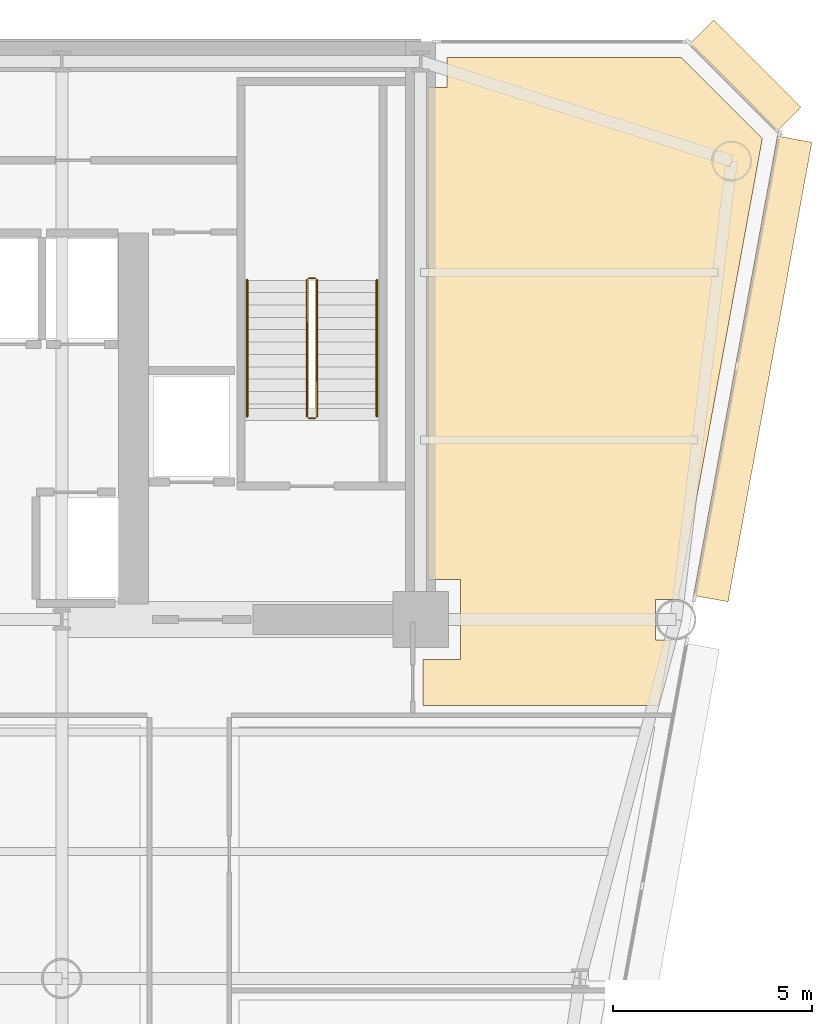
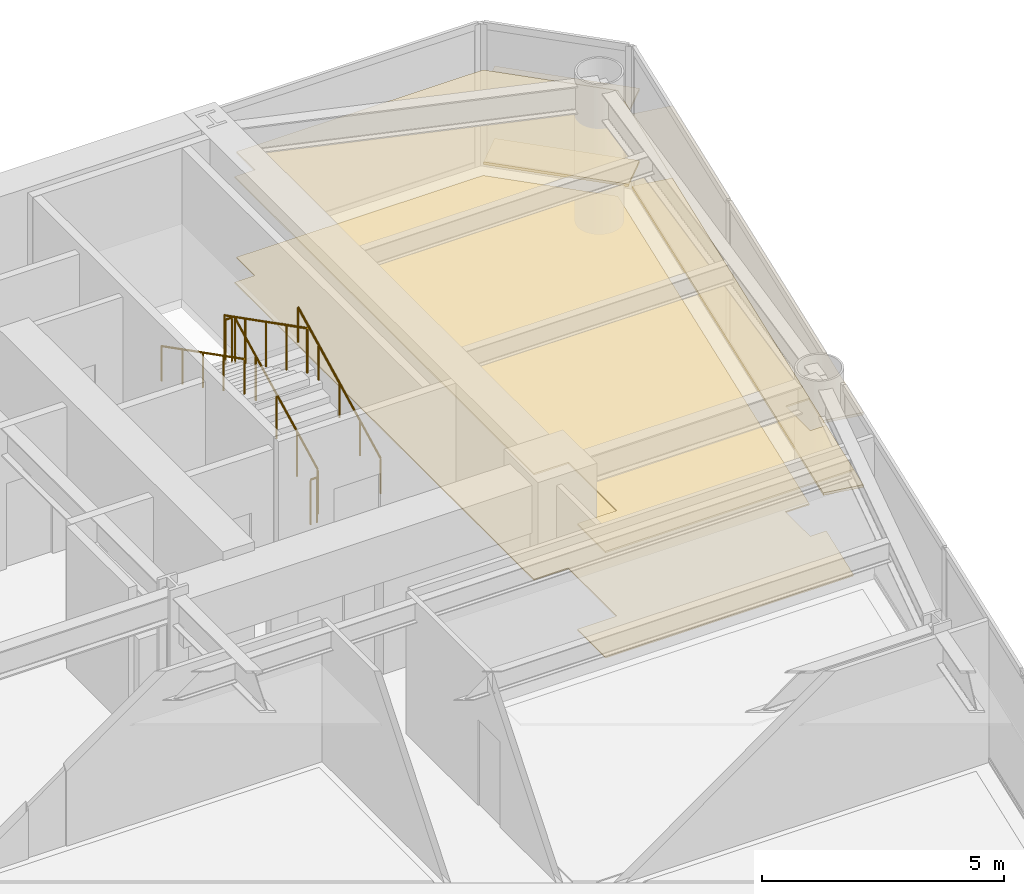
# One storey, part 14 of 14: 6 coverings, 6 railings.
"""IFC4 building model written with IfcOpenShell, lengths in metres."""

from ifc_helpers import new_model, si_unit, direction, frame, origin, origin_2d, place, context, subcontext, project, spatial, polyline, rectangle, circle, outline, extrude, source, transform, mapped, material, layer, layer_set, type_object, element, save


model = new_model("IFC4")

# Units and contexts
model_context = context("Model", 3, precision=1e-05, world=origin(), true_north=direction((0.0, 1.0)))
body_context = subcontext(model_context, "Body", "Model", "MODEL_VIEW")
ifc_project = project(units=[si_unit("LENGTHUNIT", "METRE"), si_unit("AREAUNIT", "SQUARE_METRE"), si_unit("VOLUMEUNIT", "CUBIC_METRE"), si_unit("PLANEANGLEUNIT", "RADIAN"), si_unit("MASSUNIT", "GRAM", prefix="KILO")], contexts=[model_context])

# Site, building, storey
site_placement = place(None, origin())
site = spatial("IfcSite", under=ifc_project, at=site_placement, CompositionType="ELEMENT")
building_placement = place(site_placement, origin())
building = spatial("IfcBuilding", under=site, at=building_placement, Name="Vaeldorn Concourse Tower", CompositionType="ELEMENT")
storey_placement = place(building_placement, frame((0.0, 0.0, 99.60009765625)))
storey = spatial("IfcBuildingStorey", under=building, at=storey_placement, Name="L25", CompositionType="ELEMENT", Elevation=99.60009765625)

# Coverings
ifc_material_1 = material(Name="Acoustic Mineral Fibre Board", Category="gypsum")
ifc_layer_1 = layer(ifc_material_1, 0.0400390625)
ifc_layer_set_1 = layer_set([ifc_layer_1], Name="Acoustic Mineral Fibre Board")
covering_type_1 = type_object("IfcCoveringType", Name="COV-CEIL-ACOUSTIC", PredefinedType="CEILING", material=ifc_layer_set_1)
covering_1_placement = place(storey_placement, frame((0.0, 0.0, 2.64990234375)))
element("IfcCovering", 1, at=covering_1_placement, inside=storey, type_object=covering_type_1, Name="Suspended Acoustic Ceiling L25-4", PredefinedType="CEILING", context=body_context, shape_type="SweptSolid", body=[
    extrude(outline(polyline([(54.179931640625, 49.840087890625), (54.659912109375, 49.840087890625), (54.659912109375, 50.60009765625), (60.5341796875, 50.60009765625), (62.56884765625, 48.5654296875), (60.460205078125, 37.008056640625), (59.89208984375, 37.008056640625), (59.89208984375, 35.991943359375), (60.27490234375, 35.991943359375), (59.9736328125, 34.340087890625), (54.06005859375, 34.340087890625), (54.06005859375, 35.5), (55.0, 35.5), (55.0, 37.5), (54.179931640625, 37.5), (54.179931640625, 49.840087890625)])), origin(), (0.0, 0.0, 1.0), 0.0400390625),
])
ifc_material_2 = material(Name="Honed Limestone Terrazzo Flooring", Category="masonry")
ifc_layer_2 = layer(ifc_material_2, 0.0400390625)
ifc_layer_set_2 = layer_set([ifc_layer_2], Name="Honed Limestone Terrazzo Flooring")
covering_type_2 = type_object("IfcCoveringType", Name="COV-FLOOR-STONE", PredefinedType="FLOORING", material=ifc_layer_set_2)
covering_2_placement = place(storey_placement, origin())
element("IfcCovering", 2, at=covering_2_placement, inside=storey, type_object=covering_type_2, Name="Floor Finish Covering L25-4", PredefinedType="FLOORING", context=body_context, shape_type="SweptSolid", body=[
    extrude(outline(polyline([(54.179931640625, 49.840087890625), (54.659912109375, 49.840087890625), (54.659912109375, 50.60009765625), (60.5341796875, 50.60009765625), (62.56884765625, 48.5654296875), (60.460205078125, 37.008056640625), (59.89208984375, 37.008056640625), (59.89208984375, 35.991943359375), (60.27490234375, 35.991943359375), (59.9736328125, 34.340087890625), (54.06005859375, 34.340087890625), (54.06005859375, 35.5), (55.0, 35.5), (55.0, 37.5), (54.179931640625, 37.5), (54.179931640625, 49.840087890625)])), origin(), (0.0, 0.0, 1.0), 0.02978515625),
])

# Railings
ifc_material_3 = material(Name="Anodised Bronze Aluminium", Category="aluminium")
railing_type_1 = type_object("IfcRailingType", Name="RL-STAIR-GUARD", PredefinedType="GUARDRAIL", material=ifc_material_3)
railing_1_placement = place(storey_placement, frame((51.39990234375, 41.60009765625, 0.158203125)))
element("IfcRailing", 3, at=railing_1_placement, inside=storey, type_object=railing_type_1, Name="L25 ST-2 stair guard 1", PredefinedType="GUARDRAIL", context=body_context, shape_type="SweptSolid", body=[
    extrude(circle(Radius=0.02392578125, at=origin_2d()), frame((0.0, 0.0, 1.1259765625), z_axis=(0.0, 0.890555807335, 0.454873997962), x_axis=(-1.0, 0.0, 0.0)), (0.0, 0.0, 1.0), 3.828857421875),
    extrude(circle(Radius=0.02099609375, at=origin_2d()), origin(), (0.0, 0.0, 1.0), 1.101806640625),
    extrude(circle(Radius=0.02099609375, at=origin_2d()), frame((0.0, 0.8525390625, 0.435546875)), (0.0, 0.0, 1.0), 1.101806640625),
    extrude(circle(Radius=0.02099609375, at=origin_2d()), frame((0.0, 1.705078125, 0.870849609375)), (0.0, 0.0, 1.0), 1.101806640625),
    extrude(circle(Radius=0.02099609375, at=origin_2d()), frame((0.0, 2.557373046875, 1.30615234375)), (0.0, 0.0, 1.0), 1.101806640625),
    extrude(circle(Radius=0.02099609375, at=origin_2d()), frame((0.0, 3.409912109375, 1.74169921875)), (0.0, 0.0, 1.0), 1.101806640625),
])
railing_2_placement = place(storey_placement, frame((51.35009765625, 45.06005859375, 1.89990234375)))
element("IfcRailing", 4, at=railing_2_placement, inside=storey, type_object=railing_type_1, Name="L25 ST-2 stair guard 2", PredefinedType="GUARDRAIL", context=body_context, shape_type="SweptSolid", body=[
    extrude(circle(Radius=0.02392578125, at=origin_2d()), frame((0.0, 0.0, 1.1259765625), z_axis=(-1.0, 0.0, 0.0), x_axis=(0.0, -1.0, 0.0)), (0.0, 0.0, 1.0), 0.150146484375),
    extrude(circle(Radius=0.02099609375, at=origin_2d()), origin(), (0.0, 0.0, 1.0), 1.101806640625),
    extrude(circle(Radius=0.02099609375, at=origin_2d()), frame((-0.150146484375, 0.0, 0.0)), (0.0, 0.0, 1.0), 1.101806640625),
])
railing_3_placement = place(storey_placement, frame((51.14990234375, 45.010009765625, 2.058349609375)))
element("IfcRailing", 5, at=railing_3_placement, inside=storey, type_object=railing_type_1, Name="L25 ST-2 stair guard 3", PredefinedType="GUARDRAIL", context=body_context, shape_type="SweptSolid", body=[
    extrude(circle(Radius=0.02392578125, at=origin_2d()), frame((0.0, 0.0, 1.1259765625), z_axis=(0.0, -0.890581635807, 0.454823427236), x_axis=(1.0, 0.0, 0.0)), (0.0, 0.0, 1.0), 3.828857421875),
    extrude(circle(Radius=0.02099609375, at=origin_2d()), origin(), (0.0, 0.0, 1.0), 1.101806640625),
    extrude(circle(Radius=0.02099609375, at=origin_2d()), frame((0.0, -0.8525390625, 0.435302734375)), (0.0, 0.0, 1.0), 1.101806640625),
    extrude(circle(Radius=0.02099609375, at=origin_2d()), frame((0.0, -1.705078125, 0.87060546875)), (0.0, 0.0, 1.0), 1.101806640625),
    extrude(circle(Radius=0.02099609375, at=origin_2d()), frame((0.0, -2.557373046875, 1.30615234375)), (0.0, 0.0, 1.0), 1.101806640625),
    extrude(circle(Radius=0.02099609375, at=origin_2d()), frame((0.0, -3.409912109375, 1.741455078125)), (0.0, 0.0, 1.0), 1.101806640625),
])
railing_4_placement = place(storey_placement, frame((51.35009765625, 41.550048828125, 0.0)))
element("IfcRailing", 6, at=railing_4_placement, inside=storey, type_object=railing_type_1, Name="L25 ST-2 stair guard 4", PredefinedType="GUARDRAIL", context=body_context, shape_type="SweptSolid", body=[
    extrude(circle(Radius=0.02392578125, at=origin_2d()), frame((0.0, 0.0, 1.1259765625), z_axis=(-1.0, 0.0, 0.0), x_axis=(0.0, -1.0, 0.0)), (0.0, 0.0, 1.0), 0.150146484375),
    extrude(circle(Radius=0.02099609375, at=origin_2d()), origin(), (0.0, 0.0, 1.0), 1.101806640625),
    extrude(circle(Radius=0.02099609375, at=origin_2d()), frame((-0.150146484375, 0.0, 0.0)), (0.0, 0.0, 1.0), 1.101806640625),
])
railing_type_2 = type_object("IfcRailingType", Name="RL-STAIR-HANDRAIL", PredefinedType="HANDRAIL", material=ifc_material_3)
railing_5_placement = place(storey_placement, frame((52.89990234375, 41.60009765625, 0.158203125)))
element("IfcRailing", 7, at=railing_5_placement, inside=storey, type_object=railing_type_2, Name="L25 ST-2 stair handrail 1", PredefinedType="HANDRAIL", context=body_context, shape_type="SweptSolid", body=[
    extrude(circle(Radius=0.02392578125, at=origin_2d()), frame((0.0, 0.0, 0.8759765625), z_axis=(0.0, 0.890555807335, 0.454873997962), x_axis=(-1.0, 0.0, 0.0)), (0.0, 0.0, 1.0), 3.828857421875),
    extrude(circle(Radius=0.02099609375, at=origin_2d()), origin(), (0.0, 0.0, 1.0), 0.851806640625),
    extrude(circle(Radius=0.02099609375, at=origin_2d()), frame((0.0, 0.8525390625, 0.435546875)), (0.0, 0.0, 1.0), 0.851806640625),
    extrude(circle(Radius=0.02099609375, at=origin_2d()), frame((0.0, 1.705078125, 0.870849609375)), (0.0, 0.0, 1.0), 0.851806640625),
    extrude(circle(Radius=0.02099609375, at=origin_2d()), frame((0.0, 2.557373046875, 1.30615234375)), (0.0, 0.0, 1.0), 0.851806640625),
    extrude(circle(Radius=0.02099609375, at=origin_2d()), frame((0.0, 3.409912109375, 1.74169921875)), (0.0, 0.0, 1.0), 0.851806640625),
])
railing_6_placement = place(storey_placement, frame((49.64990234375, 45.010009765625, 2.058349609375)))
element("IfcRailing", 8, at=railing_6_placement, inside=storey, type_object=railing_type_2, Name="L25 ST-2 stair handrail 2", PredefinedType="HANDRAIL", context=body_context, shape_type="SweptSolid", body=[
    extrude(circle(Radius=0.02392578125, at=origin_2d()), frame((0.0, 0.0, 0.8759765625), z_axis=(0.0, -0.890581635807, 0.454823427236), x_axis=(1.0, 0.0, 0.0)), (0.0, 0.0, 1.0), 3.828857421875),
    extrude(circle(Radius=0.02099609375, at=origin_2d()), origin(), (0.0, 0.0, 1.0), 0.851806640625),
    extrude(circle(Radius=0.02099609375, at=origin_2d()), frame((0.0, -0.8525390625, 0.435302734375)), (0.0, 0.0, 1.0), 0.851806640625),
    extrude(circle(Radius=0.02099609375, at=origin_2d()), frame((0.0, -1.705078125, 0.87060546875)), (0.0, 0.0, 1.0), 0.851806640625),
    extrude(circle(Radius=0.02099609375, at=origin_2d()), frame((0.0, -2.557373046875, 1.30615234375)), (0.0, 0.0, 1.0), 0.851806640625),
    extrude(circle(Radius=0.02099609375, at=origin_2d()), frame((0.0, -3.409912109375, 1.741455078125)), (0.0, 0.0, 1.0), 0.851806640625),
])

# Coverings
ifc_layer_3 = layer(ifc_material_3, 0.06494140625)
ifc_layer_set_3 = layer_set([ifc_layer_3], Name="Anodised Bronze Aluminium")
covering_type_3 = type_object("IfcCoveringType", Name="SD-BRONZE-SUNSHADE", PredefinedType="USERDEFINED", material=ifc_layer_set_3)
shared_shape_1 = source(origin(), body_context, "Body", "SweptSolid", [
    extrude(rectangle(XDim=3.0927734375, YDim=0.8798828125, at=origin_2d()), origin(), (0.0, 0.0, 1.0), 0.06494140625),
])
for number, where, z_axis, x_axis, name in (
    (9, (62.1328125, 50.1328125, 0.04736328125), (0.0, 0.0, 1.0), (-0.707106781187, 0.707106781187, 0.0), "Horizontal Bronze Sunshade L25-E08.1.1"),
    (10, (62.1328125, 50.1328125, 1.867431640625), (0.0, 0.0, 1.0), (-0.707106781187, 0.707106781187, 0.0), "Horizontal Bronze Sunshade L25-E08.1.2"),
):
    element("IfcCovering", number, at=place(storey_placement, frame(where, z_axis=z_axis, x_axis=x_axis)), inside=storey, type_object=covering_type_3, Name=name, ObjectType="SUNSHADE", PredefinedType="USERDEFINED", context=body_context, shape_type="MappedRepresentation", body=[
        mapped(shared_shape_1, transform((0.0, 0.0, 0.0), scale=1.0)),
    ])
shared_shape_2 = source(origin(), body_context, "Body", "SweptSolid", [
    extrude(rectangle(XDim=11.71484375, YDim=0.8798828125, at=origin_2d()), origin(), (0.0, 0.0, 1.0), 0.06494140625),
])
for number, where, z_axis, x_axis, name in (
    (11, (62.327880859375, 42.787109375, 0.04736328125), (0.0, 0.0, 1.0), (0.179471882945, 0.983763103207, 0.0), "Horizontal Bronze Sunshade L25-E07.2.1"),
    (12, (62.327880859375, 42.787109375, 1.867431640625), (0.0, 0.0, 1.0), (0.179471882945, 0.983763103207, 0.0), "Horizontal Bronze Sunshade L25-E07.2.2"),
):
    element("IfcCovering", number, at=place(storey_placement, frame(where, z_axis=z_axis, x_axis=x_axis)), inside=storey, type_object=covering_type_3, Name=name, ObjectType="SUNSHADE", PredefinedType="USERDEFINED", context=body_context, shape_type="MappedRepresentation", body=[
        mapped(shared_shape_2, transform((0.0, 0.0, 0.0), scale=1.0)),
    ])

save(model, "model.ifc")
